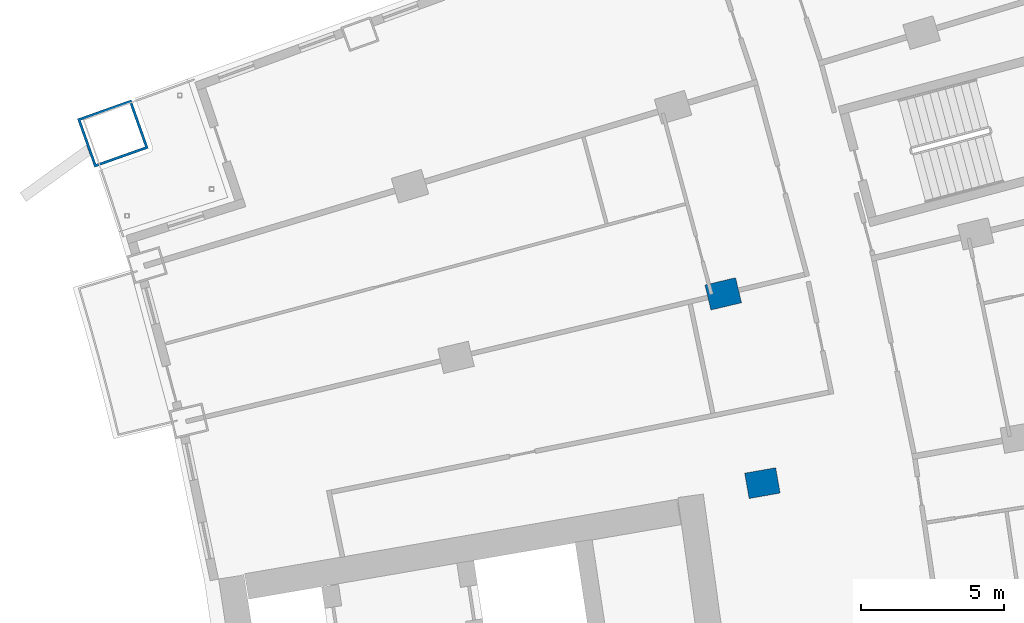
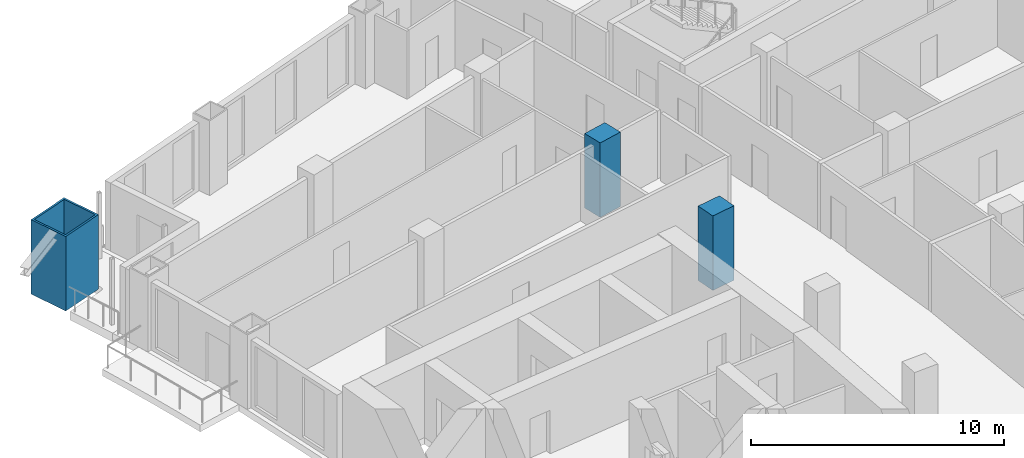
# One storey, part 8 of 25: 3 columns.
"""IFC4 building model written with IfcOpenShell, lengths in metres."""

from ifc_helpers import new_model, si_unit, direction, frame, origin, origin_2d, place, context, subcontext, project, spatial, rectangle, hollow_rectangle, extrude, material, material_profile, profile_set, type_object, element, save


model = new_model("IFC4")

# Units and contexts
model_context = context("Model", 3, precision=1e-05, world=origin(), true_north=direction((0.0, 1.0)))
body_context = subcontext(model_context, "Body", "Model", "MODEL_VIEW")
ifc_project = project(units=[si_unit("LENGTHUNIT", "METRE"), si_unit("AREAUNIT", "SQUARE_METRE"), si_unit("VOLUMEUNIT", "CUBIC_METRE"), si_unit("PLANEANGLEUNIT", "RADIAN"), si_unit("MASSUNIT", "GRAM", prefix="KILO")], contexts=[model_context])

# Site, building, storey
site_placement = place(None, origin())
site = spatial("IfcSite", under=ifc_project, at=site_placement, CompositionType="ELEMENT")
building_placement = place(site_placement, origin())
building = spatial("IfcBuilding", under=site, at=building_placement, Name="Alderwake Tower", CompositionType="ELEMENT")
storey_placement = place(building_placement, frame((0.0, 0.0, 46.39990234375)))
storey = spatial("IfcBuildingStorey", under=building, at=storey_placement, Name="L10", CompositionType="ELEMENT", Elevation=46.39990234375)

# Columns
ifc_material_1 = material(Name="Concrete C70/85", Category="concrete")
ifc_material_profile_1 = material_profile(ifc_material_1, rectangle(XDim=0.89990234375, YDim=1.10009765625, at=origin_2d()), Name="RC 1100X900")
ifc_profile_set_1 = profile_set([ifc_material_profile_1], Name="Concrete C70/85")
column_type_1 = type_object("IfcColumnType", Name="Interior column Z1", PredefinedType="COLUMN", material=ifc_profile_set_1)
for number, where, z_axis, x_axis, name in (
    (1, (34.03125, 81.16162109375, 0.0), (0.0, 0.0, 1.0), (-0.174108800747, 0.984726421654, 0.0), "Column R10-C2"),
    (2, (32.661865234375, 87.775390625, 0.0), (0.0, 0.0, 1.0), (-0.231221547198, 0.972901123502, 0.0), "Column R11-C2"),
):
    element("IfcColumn", number, at=place(storey_placement, frame(where, z_axis=z_axis, x_axis=x_axis)), inside=storey, type_object=column_type_1, Name=name, PredefinedType="COLUMN", context=body_context, shape_type="SweptSolid", body=[
        extrude(rectangle(XDim=0.89990234375, YDim=1.10009765625, at=origin_2d()), origin(), (0.0, 0.0, 1.0), 3.60009765625),
    ])
ifc_material_2 = material(Name="Steel ASTM A572 Grade 50 concrete filled C70/85", Category="concrete")
ifc_material_profile_2 = material_profile(ifc_material_2, hollow_rectangle(XDim=1.800048828125, YDim=2.0, WallThickness=0.090087890625, at=origin_2d()), Name="BOX 2000X1800X90")
ifc_profile_set_2 = profile_set([ifc_material_profile_2], Name="Steel ASTM A572 Grade 50 concrete filled C70/85")
column_type_2 = type_object("IfcColumnType", Name="Mega column Z1", PredefinedType="COLUMN", material=ifc_profile_set_2)
column_placement = place(storey_placement, frame((11.330810546875, 93.377197265625, 0.0), z_axis=(0.0, 0.0, 1.0), x_axis=(-0.334130947791, 0.942526662609, 0.0)))
element("IfcColumn", 3, at=column_placement, inside=storey, type_object=column_type_2, Name="Column R13-C0", PredefinedType="COLUMN", context=body_context, shape_type="SweptSolid", body=[
    extrude(hollow_rectangle(XDim=1.800048828125, YDim=2.0, WallThickness=0.090087890625, at=origin_2d()), origin(), (0.0, 0.0, 1.0), 3.60009765625),
])

save(model, "model.ifc")
